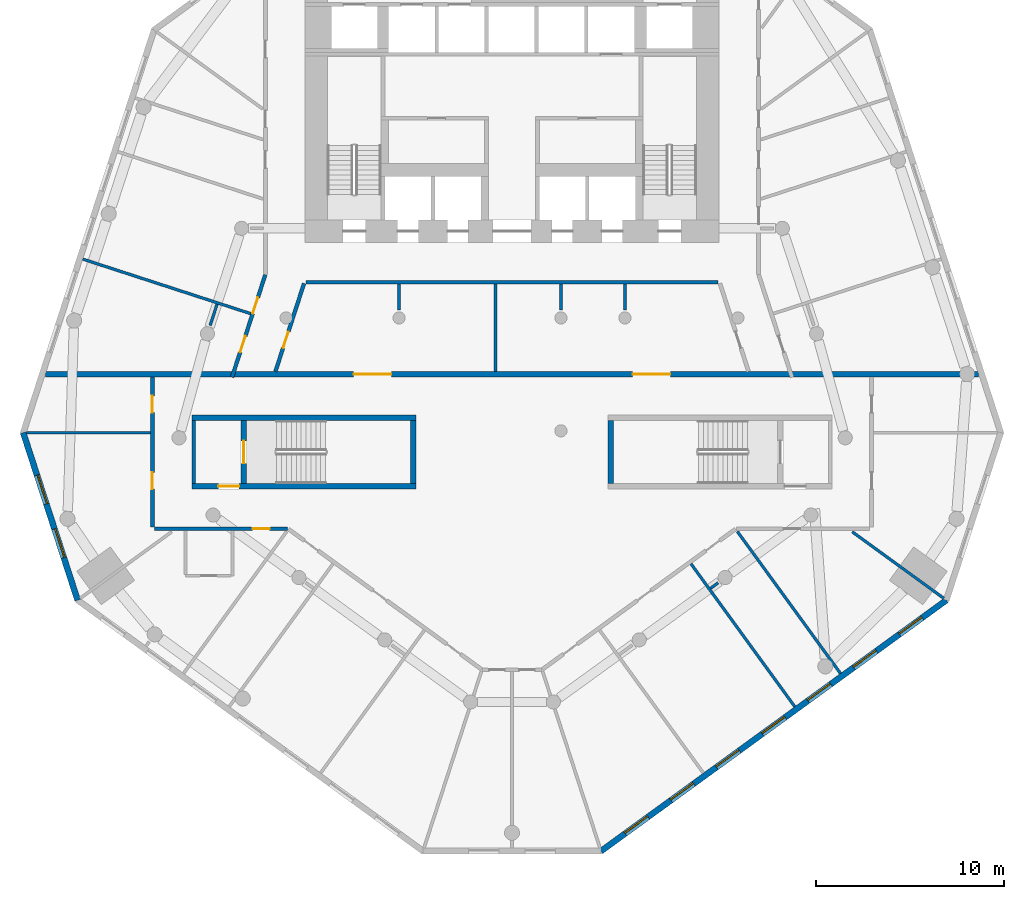
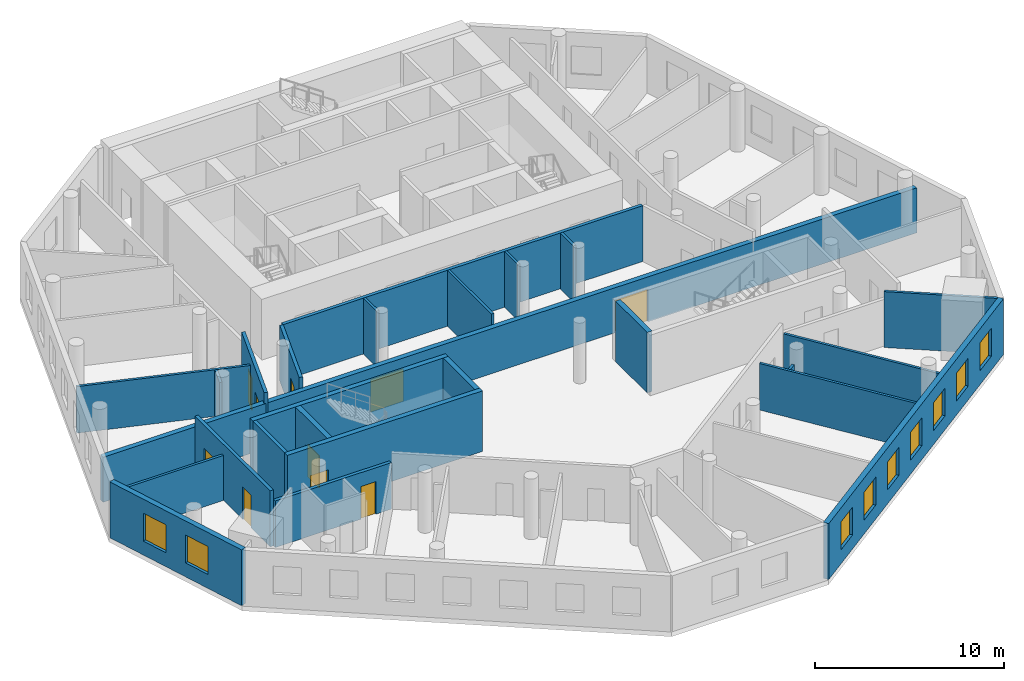
# One storey, part 3 of 9: 25 walls, 10 doors, 9 windows, 19 openings.
"""IFC4 building model written with IfcOpenShell, lengths in metres."""

import ifcopenshell
import ifcopenshell.guid

model = None  # the IFC model being written
_history = None  # IfcOwnerHistory: only IFC2X3 demands one
_inside = {}  # id of a spatial element -> (the spatial element, [elements in it])
_under = {}  # id of a project, library or spatial element -> (it, [spatial elements below it])
_declared = {}  # id of a project -> (the project, [libraries it declares])
_typed = {}  # id of a type object -> (the type object, [elements of that type])
_made_of = {}  # id of a material, layer set ... -> (it, [elements and type objects made of it])


def new_model(schema):
    """Start an empty IFC model of exactly this schema.

    Asked for "IFC4X3", IfcOpenShell would pick the latest addendum, in which some entities
    have other attributes; the version numbers below select the first issue.
    IFC2X3 requires an IfcOwnerHistory on every rooted entity: one is made here for all.
    """
    global model, _history
    if schema == "IFC4X3":
        model = ifcopenshell.file(schema_version=(4, 3, 0, 0))
    else:
        model = ifcopenshell.file(schema=schema)
    _inside.clear()
    _under.clear()
    _declared.clear()
    _typed.clear()
    _made_of.clear()
    _history = None
    if model.schema == "IFC2X3":
        org = make("IfcOrganization", Name="unknown")
        user = make(
            "IfcPersonAndOrganization",
            ThePerson=make("IfcPerson", FamilyName="unknown"),
            TheOrganization=org,
        )
        app = make(
            "IfcApplication",
            ApplicationDeveloper=org,
            Version="unknown",
            ApplicationFullName="unknown",
            ApplicationIdentifier="unknown",
        )
        _history = make(
            "IfcOwnerHistory",
            OwningUser=user,
            OwningApplication=app,
            ChangeAction="ADDED",
            CreationDate=0,
        )
    return model


def make(cls, **values):
    """One entity of the class cls with the attributes given. An attribute that is None is left unset."""
    return model.create_entity(
        cls, **{name: value for name, value in values.items() if value is not None}
    )


def rooted(cls, **values):
    """An entity with a GlobalId (a new one), such as an element, a storey or a relation."""
    return make(cls, GlobalId=ifcopenshell.guid.new(), OwnerHistory=_history, **values)


def si_unit(unit_type, name, prefix=None):
    """IfcSIUnit, for example si_unit("LENGTHUNIT", "METRE", prefix="MILLI")."""
    return make("IfcSIUnit", UnitType=unit_type, Prefix=prefix, Name=name)


def assignment(units):
    """IfcUnitAssignment: the units of a project."""
    return None if units is None else make("IfcUnitAssignment", Units=units)


def point(xyz):
    """IfcCartesianPoint."""
    return None if xyz is None else make("IfcCartesianPoint", Coordinates=xyz)


def direction(xyz):
    """IfcDirection."""
    return None if xyz is None else make("IfcDirection", DirectionRatios=xyz)


def frame(location, z_axis=None, x_axis=None):
    """IfcAxis2Placement3D, a coordinate frame: its origin and axes. An axis left out is left unset."""
    return make(
        "IfcAxis2Placement3D",
        Location=point(location),
        Axis=direction(z_axis),
        RefDirection=direction(x_axis),
    )


def frame_2d(location, x_axis=None):
    """IfcAxis2Placement2D, a coordinate frame in the plane: its origin and x axis."""
    return make(
        "IfcAxis2Placement2D", Location=point(location), RefDirection=direction(x_axis)
    )


def origin():
    """The frame at (0, 0, 0) with its axes left unset."""
    return frame((0.0, 0.0, 0.0))


def place(relative_to, where):
    """IfcLocalPlacement: puts the frame where relative to a parent placement (None: the world)."""
    return make(
        "IfcLocalPlacement", PlacementRelTo=relative_to, RelativePlacement=where
    )


def context(
    kind, dimensions, precision=None, world=None, true_north=None, identifier=None
):
    """IfcGeometricRepresentationContext, for example the 3D "Model" context."""
    return make(
        "IfcGeometricRepresentationContext",
        ContextIdentifier=identifier,
        ContextType=kind,
        CoordinateSpaceDimension=dimensions,
        Precision=precision,
        WorldCoordinateSystem=world,
        TrueNorth=true_north,
    )


def subcontext(parent, identifier, kind, view, scale=None):
    """IfcGeometricRepresentationSubContext, for example "Body" below "Model"."""
    return make(
        "IfcGeometricRepresentationSubContext",
        ContextIdentifier=identifier,
        ContextType=kind,
        ParentContext=parent,
        TargetScale=scale,
        TargetView=view,
    )


def project(units=None, contexts=None):
    """IfcProject with its units and contexts."""
    return rooted(
        "IfcProject",
        Name="project",
        RepresentationContexts=contexts,
        UnitsInContext=assignment(units),
    )


def spatial(cls, under=None, at=None, **own):
    """A site, building, storey or space (cls), placed at a placement, below another one or the project."""
    s = rooted(cls, ObjectPlacement=at, **own)
    if under is not None:
        _under.setdefault(under.id(), (under, []))[1].append(s)
    return s


def profile(cls, at=None, kind="AREA", **sizes):
    """A parametric profile (cls). Its sizes go by their IFC names, for example OverallWidth=200.0."""
    return make(cls, ProfileType=kind, Position=at, **sizes)


def rectangle(**sizes):
    """IfcRectangleProfileDef."""
    return profile("IfcRectangleProfileDef", **sizes)


def extrude(swept, where, along, depth):
    """IfcExtrudedAreaSolid: the profile swept, set in the frame where, extruded along a direction by depth."""
    return make(
        "IfcExtrudedAreaSolid",
        SweptArea=swept,
        Position=where,
        ExtrudedDirection=direction(along),
        Depth=depth,
    )


def shape(context_of_items, identifier, shape_type, items):
    """IfcShapeRepresentation: the items that make up one representation, for example the "Body"."""
    return make(
        "IfcShapeRepresentation",
        ContextOfItems=context_of_items,
        RepresentationIdentifier=identifier,
        RepresentationType=shape_type,
        Items=items,
    )


def material(Name=None, Category=None):
    """IfcMaterial."""
    return make("IfcMaterial", Name=Name, Category=Category)


def layer(
    of_material, thickness, ventilated=None, Name=None, Category=None, Priority=None
):
    """IfcMaterialLayer: one layer of a wall or slab, of a material (None: an air gap)."""
    return make(
        "IfcMaterialLayer",
        Material=of_material,
        LayerThickness=thickness,
        IsVentilated=ventilated,
        Name=Name,
        Category=Category,
        Priority=Priority,
    )


def layer_set(layers, Name=None):
    """IfcMaterialLayerSet."""
    return make("IfcMaterialLayerSet", MaterialLayers=layers, LayerSetName=Name)


def made_of(thing, what):
    """Note that an element or type object is made of a material, layer set ...; save() writes the relation."""
    if what is not None:
        _made_of.setdefault(what.id(), (what, []))[1].append(thing)
    return thing


def type_object(cls, material=None, **own):
    """A type object (cls), such as IfcWallType, which elements share."""
    return made_of(rooted(cls, **own), material)


def element(
    cls,
    number,
    at=None,
    inside=None,
    cuts=None,
    type_object=None,
    material=None,
    context=None,
    identifier="Body",
    shape_type=None,
    held_by="IfcProductDefinitionShape",
    body=None,
    shapes=None,
    **own,
):
    """One element of the class cls, such as IfcWall. Its Tag is "e" and its number.

    at: its placement. inside: the storey or other place that contains it. cuts: it is an
    opening in that element (IfcRelVoidsElement). A single representation is given by context,
    identifier, shape_type and body (its items); several are given by shapes. held_by: the class
    of the entity that holds the representations. save() writes the other relations.
    """
    e = rooted(cls, Tag="e%d" % number, ObjectPlacement=at, **own)
    if body is not None:
        shapes = [shape(context, identifier, shape_type, body)]
    if shapes is not None:
        e.Representation = make(held_by, Representations=shapes)
    if inside is not None:
        _inside.setdefault(inside.id(), (inside, []))[1].append(e)
    if cuts is not None:
        rooted(
            "IfcRelVoidsElement", RelatingBuildingElement=cuts, RelatedOpeningElement=e
        )
    if type_object is not None:
        _typed.setdefault(type_object.id(), (type_object, []))[1].append(e)
    return made_of(e, material)


def fill(opening, filler):
    """IfcRelFillsElement: the door or window that sits in an opening."""
    return rooted(
        "IfcRelFillsElement",
        RelatingOpeningElement=opening,
        RelatedBuildingElement=filler,
    )


def aggregate(whole, parts):
    """IfcRelAggregates: a whole, such as a stair, and the parts it consists of."""
    return rooted("IfcRelAggregates", RelatingObject=whole, RelatedObjects=parts)


def save(model, path):
    """Write the relations noted so far, then the file.

    IfcRelAggregates (storeys below a building ...), IfcRelContainedInSpatialStructure (elements
    in a storey), IfcRelDefinesByType, IfcRelAssociatesMaterial and IfcRelDeclares: one each for
    every whole, place, type object, material and project.
    """
    for whole, parts in _under.values():
        aggregate(whole, parts)
    for where, things in _inside.values():
        rooted(
            "IfcRelContainedInSpatialStructure",
            RelatedElements=things,
            RelatingStructure=where,
        )
    for kind, things in _typed.values():
        rooted("IfcRelDefinesByType", RelatedObjects=things, RelatingType=kind)
    for what, things in _made_of.values():
        rooted("IfcRelAssociatesMaterial", RelatedObjects=things, RelatingMaterial=what)
    for by, libraries in _declared.values():
        rooted("IfcRelDeclares", RelatingContext=by, RelatedDefinitions=libraries)
    model.write(path)


model = new_model("IFC4")

# Units and contexts
model_context = context("Model", 3, precision=1e-05, world=origin(), true_north=direction((0.0, 1.0)))
body_context = subcontext(model_context, "Body", "Model", "MODEL_VIEW")
ifc_project = project(units=[si_unit("LENGTHUNIT", "METRE"), si_unit("AREAUNIT", "SQUARE_METRE"), si_unit("VOLUMEUNIT", "CUBIC_METRE"), si_unit("PLANEANGLEUNIT", "RADIAN"), si_unit("MASSUNIT", "GRAM", prefix="KILO")], contexts=[model_context])

# Site, building, storey
site_placement = place(None, origin())
site = spatial("IfcSite", under=ifc_project, at=site_placement, CompositionType="ELEMENT")
building_placement = place(site_placement, origin())
building = spatial("IfcBuilding", under=site, at=building_placement, Name="White Candle Pilgrim Tower", CompositionType="ELEMENT")
storey_placement = place(building_placement, frame((0.0, 0.0, 70.199951171875)))
storey = spatial("IfcBuildingStorey", under=building, at=storey_placement, Name="L14", CompositionType="ELEMENT", Elevation=70.199951171875)

# Wall
ifc_material_1 = material(Name="Concrete C70/85", Category="concrete")
ifc_layer_1 = layer(ifc_material_1, 0.199951171875)
ifc_layer_set_1 = layer_set([ifc_layer_1], Name="Core wall 200 mm Concrete C70/85")
wall_type_1 = type_object("IfcWallType", Name="Core wall 200 mm Concrete C70/85", PredefinedType="SHEAR", material=ifc_layer_set_1)
wall_1_placement = place(storey_placement, frame((53.10009765625, 58.199951171875, 0.0), z_axis=(0.0, 0.0, 1.0), x_axis=(0.0, 1.0, 0.0)))
element("IfcWall", 1, at=wall_1_placement, inside=storey, type_object=wall_type_1, Name="WL-L14-C03", PredefinedType="SHEAR", context=body_context, shape_type="SweptSolid", body=[
    extrude(rectangle(XDim=3.35009765625, YDim=0.199951171875, at=frame_2d((1.675048828125, 0.0))), origin(), (0.0, 0.0, 1.0), 3.900146484375),
])

# Wall, openings, doors
ifc_material_2 = material(Name="Gypsum board on steel studs", Category="steel")
ifc_layer_2 = layer(ifc_material_2, 0.199951171875)
ifc_layer_set_2 = layer_set([ifc_layer_2], Name="Corridor wall 200 mm EI 45")
wall_type_2 = type_object("IfcWallType", Name="Corridor wall 200 mm EI 45", PredefinedType="PARTITIONING", material=ifc_layer_set_2)
wall_2_placement = place(storey_placement, frame((55.128173828125, 63.85009765625, 0.0), z_axis=(0.0, 0.0, 1.0), x_axis=(0.309006902183, 0.951059795388, 0.0)))
wall_2 = element("IfcWall", 2, at=wall_2_placement, inside=storey, type_object=wall_type_2, Name="WL-L14-P002", PredefinedType="PARTITIONING", context=body_context, shape_type="SweptSolid", body=[
    extrude(rectangle(XDim=5.7177734375, YDim=0.199951171875, at=frame_2d((2.85888671875, 0.0))), origin(), (0.0, 0.0, 1.0), 3.60009765625),
])
opening_1_placement = place(wall_2_placement, frame((1.3984375, 0.0, 0.0)))
opening_1 = element("IfcOpeningElement", 3, at=opening_1_placement, cuts=wall_2, Name="Opening T04-117", PredefinedType="OPENING", context=body_context, shape_type="SweptSolid", body=[
    extrude(rectangle(XDim=0.89990234375, YDim=2.10009765625, at=frame_2d((0.449951171875, 1.050048828125))), frame((0.0, 0.10986328125, 0.0), z_axis=(0.0, -1.0, 0.0), x_axis=(1.0, 0.0, 0.0)), (0.0, 0.0, 1.0), 0.219970703125),
])
opening_2_placement = place(wall_2_placement, frame((3.552490234375, 0.0, 0.0)))
opening_2 = element("IfcOpeningElement", 4, at=opening_2_placement, cuts=wall_2, Name="Opening T04-118", PredefinedType="OPENING", context=body_context, shape_type="SweptSolid", body=[
    extrude(rectangle(XDim=0.89990234375, YDim=2.10009765625, at=frame_2d((0.449951171875, 1.050048828125))), frame((0.0, 0.10986328125, 0.0), z_axis=(0.0, -1.0, 0.0), x_axis=(1.0, 0.0, 0.0)), (0.0, 0.0, 1.0), 0.219970703125),
])
ifc_material_3 = material(Name="Steel door leaf", Category="steel")
door_type_1 = type_object("IfcDoorType", Name="Fire door 900 x 2100 EI 30", OperationType="NOTDEFINED", PredefinedType="DOOR", material=ifc_material_3)
door_1_placement = place(opening_1_placement, origin())
door_1 = element("IfcDoor", 5, at=door_1_placement, inside=storey, type_object=door_type_1, Name="Door T04-117", OperationType="SINGLE_SWING_LEFT", OverallHeight=2.10009765625, OverallWidth=0.89990234375, PredefinedType="DOOR", context=body_context, shape_type="SweptSolid", body=[
    extrude(rectangle(XDim=0.89990234375, YDim=2.10009765625, at=frame_2d((0.449951171875, 1.050048828125))), frame((0.0, 0.02490234375, 0.0), z_axis=(0.0, -1.0, 0.0), x_axis=(1.0, 0.0, 0.0)), (0.0, 0.0, 1.0), 0.050048828125),
])
fill(opening_1, door_1)
door_2_placement = place(opening_2_placement, origin())
door_2 = element("IfcDoor", 6, at=door_2_placement, inside=storey, type_object=door_type_1, Name="Door T04-118", OperationType="SINGLE_SWING_RIGHT", OverallHeight=2.10009765625, OverallWidth=0.89990234375, PredefinedType="DOOR", context=body_context, shape_type="SweptSolid", body=[
    extrude(rectangle(XDim=0.89990234375, YDim=2.10009765625, at=frame_2d((0.449951171875, 1.050048828125))), frame((0.0, 0.02490234375, 0.0), z_axis=(0.0, -1.0, 0.0), x_axis=(1.0, 0.0, 0.0)), (0.0, 0.0, 1.0), 0.050048828125),
])
fill(opening_2, door_2)

# Wall, opening, door
wall_3_placement = place(storey_placement, frame((58.07080078125, 55.800048828125, 0.0), z_axis=(0.0, 0.0, 1.0), x_axis=(-1.0, 0.0, 0.0)))
wall_3 = element("IfcWall", 7, at=wall_3_placement, inside=storey, type_object=wall_type_2, Name="WL-L14-P011", PredefinedType="PARTITIONING", context=body_context, shape_type="SweptSolid", body=[
    extrude(rectangle(XDim=7.07080078125, YDim=0.199951171875, at=frame_2d((3.535400390625, 0.0))), origin(), (0.0, 0.0, 1.0), 3.0),
])
opening_3_placement = place(wall_3_placement, frame((0.9443359375, 0.0, 0.0)))
opening_3 = element("IfcOpeningElement", 8, at=opening_3_placement, cuts=wall_3, Name="Opening T04-103", PredefinedType="OPENING", context=body_context, shape_type="SweptSolid", body=[
    extrude(rectangle(XDim=0.89990234375, YDim=2.10009765625, at=frame_2d((0.449951171875, 1.050048828125))), frame((0.0, 0.10986328125, 0.0), z_axis=(0.0, -1.0, 0.0), x_axis=(1.0, 0.0, 0.0)), (0.0, 0.0, 1.0), 0.219970703125),
])
door_3_placement = place(opening_3_placement, origin())
door_3 = element("IfcDoor", 9, at=door_3_placement, inside=storey, type_object=door_type_1, Name="Door T04-103", OperationType="SINGLE_SWING_LEFT", OverallHeight=2.10009765625, OverallWidth=0.89990234375, PredefinedType="DOOR", context=body_context, shape_type="SweptSolid", body=[
    extrude(rectangle(XDim=0.89990234375, YDim=2.10009765625, at=frame_2d((0.449951171875, 1.050048828125))), frame((0.0, 0.02490234375, 0.0), z_axis=(0.0, -1.0, 0.0), x_axis=(1.0, 0.0, 0.0)), (0.0, 0.0, 1.0), 0.050048828125),
])
fill(opening_3, door_3)

# Wall, openings, doors
wall_4_placement = place(storey_placement, frame((50.89990234375, 55.89990234375, 0.0), z_axis=(0.0, 0.0, 1.0), x_axis=(0.0, 1.0, 0.0)))
wall_4 = element("IfcWall", 10, at=wall_4_placement, inside=storey, type_object=wall_type_2, Name="WL-L14-P012", PredefinedType="PARTITIONING", context=body_context, shape_type="SweptSolid", body=[
    extrude(rectangle(XDim=7.9501953125, YDim=0.199951171875, at=frame_2d((3.97509765625, 0.0))), origin(), (0.0, 0.0, 1.0), 3.60009765625),
])
opening_4_placement = place(wall_4_placement, frame((2.001708984375, 0.0, 0.0)))
opening_4 = element("IfcOpeningElement", 11, at=opening_4_placement, cuts=wall_4, Name="Opening T04-101", PredefinedType="OPENING", context=body_context, shape_type="SweptSolid", body=[
    extrude(rectangle(XDim=0.89990234375, YDim=2.10009765625, at=frame_2d((0.449951171875, 1.050048828125))), frame((0.0, 0.10986328125, 0.0), z_axis=(0.0, -1.0, 0.0), x_axis=(1.0, 0.0, 0.0)), (0.0, 0.0, 1.0), 0.219970703125),
])
opening_5_placement = place(wall_4_placement, frame((6.064208984375, 0.0, 0.0)))
opening_5 = element("IfcOpeningElement", 12, at=opening_5_placement, cuts=wall_4, Name="Opening T04-116", PredefinedType="OPENING", context=body_context, shape_type="SweptSolid", body=[
    extrude(rectangle(XDim=0.89990234375, YDim=2.10009765625, at=frame_2d((0.449951171875, 1.050048828125))), frame((0.0, 0.10986328125, 0.0), z_axis=(0.0, -1.0, 0.0), x_axis=(1.0, 0.0, 0.0)), (0.0, 0.0, 1.0), 0.219970703125),
])
door_4_placement = place(opening_4_placement, origin())
door_4 = element("IfcDoor", 13, at=door_4_placement, inside=storey, type_object=door_type_1, Name="Door T04-101", OperationType="SINGLE_SWING_LEFT", OverallHeight=2.10009765625, OverallWidth=0.89990234375, PredefinedType="DOOR", context=body_context, shape_type="SweptSolid", body=[
    extrude(rectangle(XDim=0.89990234375, YDim=2.10009765625, at=frame_2d((0.449951171875, 1.050048828125))), frame((0.0, 0.02490234375, 0.0), z_axis=(0.0, -1.0, 0.0), x_axis=(1.0, 0.0, 0.0)), (0.0, 0.0, 1.0), 0.050048828125),
])
fill(opening_4, door_4)
door_5_placement = place(opening_5_placement, origin())
door_5 = element("IfcDoor", 14, at=door_5_placement, inside=storey, type_object=door_type_1, Name="Door T04-116", OperationType="SINGLE_SWING_RIGHT", OverallHeight=2.10009765625, OverallWidth=0.89990234375, PredefinedType="DOOR", context=body_context, shape_type="SweptSolid", body=[
    extrude(rectangle(XDim=0.89990234375, YDim=2.10009765625, at=frame_2d((0.449951171875, 1.050048828125))), frame((0.0, 0.02490234375, 0.0), z_axis=(0.0, -1.0, 0.0), x_axis=(1.0, 0.0, 0.0)), (0.0, 0.0, 1.0), 0.050048828125),
])
fill(opening_5, door_5)

# Wall
wall_5_placement = place(storey_placement, frame((80.9501953125, 68.89990234375, 0.0), z_axis=(0.0, 0.0, 1.0), x_axis=(-1.0, 0.0, 0.0)))
element("IfcWall", 15, at=wall_5_placement, inside=storey, type_object=wall_type_2, Name="WL-L14-P013", PredefinedType="PARTITIONING", context=body_context, shape_type="SweptSolid", body=[
    extrude(rectangle(XDim=21.900390625, YDim=0.199951171875, at=frame_2d((10.9501953125, 0.0))), origin(), (0.0, 0.0, 1.0), 3.60009765625),
])

# Wall, opening, door
wall_6_placement = place(storey_placement, frame((58.95458984375, 68.830810546875, 0.0), z_axis=(0.0, 0.0, 1.0), x_axis=(-0.309031112369, -0.951051928965, 0.0)))
wall_6 = element("IfcWall", 16, at=wall_6_placement, inside=storey, type_object=wall_type_2, Name="WL-L14-P014", PredefinedType="PARTITIONING", context=body_context, shape_type="SweptSolid", body=[
    extrude(rectangle(XDim=4.921875, YDim=0.199951171875, at=frame_2d((2.4609375, 0.0))), origin(), (0.0, 0.0, 1.0), 3.60009765625),
])
opening_6_placement = place(wall_6_placement, frame((2.6982421875, 0.0, 0.0)))
opening_6 = element("IfcOpeningElement", 17, at=opening_6_placement, cuts=wall_6, Name="Opening T04-130", PredefinedType="OPENING", context=body_context, shape_type="SweptSolid", body=[
    extrude(rectangle(XDim=0.89990234375, YDim=2.10009765625, at=frame_2d((0.449951171875, 1.050048828125))), frame((0.0, 0.10986328125, 0.0), z_axis=(0.0, -1.0, 0.0), x_axis=(1.0, 0.0, 0.0)), (0.0, 0.0, 1.0), 0.219970703125),
])
door_6_placement = place(opening_6_placement, origin())
door_6 = element("IfcDoor", 18, at=door_6_placement, inside=storey, type_object=door_type_1, Name="Door T04-130", OperationType="SINGLE_SWING_RIGHT", OverallHeight=2.10009765625, OverallWidth=0.89990234375, PredefinedType="DOOR", context=body_context, shape_type="SweptSolid", body=[
    extrude(rectangle(XDim=0.89990234375, YDim=2.10009765625, at=frame_2d((0.449951171875, 1.050048828125))), frame((0.0, 0.02490234375, 0.0), z_axis=(0.0, -1.0, 0.0), x_axis=(1.0, 0.0, 0.0)), (0.0, 0.0, 1.0), 0.050048828125),
])
fill(opening_6, door_6)

# Wall, openings, windows
ifc_material_4 = material(Name="Precast concrete C40/50", Category="concrete")
ifc_layer_3 = layer(ifc_material_4, 0.320068359375)
ifc_layer_set_3 = layer_set([ifc_layer_3], Name="Facade wall EW1 precast concrete C40/50 pier wall with timber-lined reveals")
wall_type_3 = type_object("IfcWallType", Name="Facade wall EW1 precast concrete C40/50 pier wall with timber-lined reveals", PredefinedType="SOLIDWALL", material=ifc_layer_set_3)
wall_7_placement = place(storey_placement, frame((44.03466796875, 60.903564453125, 0.0), z_axis=(0.0, 0.0, 1.0), x_axis=(0.309024710052, -0.951054009285, 0.0)))
wall_7 = element("IfcWall", 19, at=wall_7_placement, inside=storey, type_object=wall_type_3, Name="Facade wall L14 W chamfer", PredefinedType="SOLIDWALL", context=body_context, shape_type="SweptSolid", body=[
    extrude(rectangle(XDim=9.3564453125, YDim=0.320068359375, at=frame_2d((4.67822265625, 0.0))), origin(), (0.0, 0.0, 1.0), 3.60009765625),
])
opening_7_placement = place(wall_7_placement, frame((2.37841796875, 0.0, 0.89990234375)))
opening_7 = element("IfcOpeningElement", 20, at=opening_7_placement, cuts=wall_7, Name="Opening W2", PredefinedType="OPENING", context=body_context, shape_type="SweptSolid", body=[
    extrude(rectangle(XDim=1.60009765625, YDim=1.800048828125, at=frame_2d((0.800048828125, 0.89990234375))), frame((0.0, 0.169921875, 0.0), z_axis=(0.0, -1.0, 0.0), x_axis=(1.0, 0.0, 0.0)), (0.0, 0.0, 1.0), 0.340087890625),
])
opening_8_placement = place(wall_7_placement, frame((5.37841796875, 0.0, 0.89990234375)))
opening_8 = element("IfcOpeningElement", 21, at=opening_8_placement, cuts=wall_7, Name="Opening W2", PredefinedType="OPENING", context=body_context, shape_type="SweptSolid", body=[
    extrude(rectangle(XDim=1.60009765625, YDim=1.800048828125, at=frame_2d((0.800048828125, 0.89990234375))), frame((0.0, 0.169921875, 0.0), z_axis=(0.0, -1.0, 0.0), x_axis=(1.0, 0.0, 0.0)), (0.0, 0.0, 1.0), 0.340087890625),
])
ifc_material_5 = material(Name="Timber frame with triple glazing", Category="wood")
window_type_1 = type_object("IfcWindowType", Name="Window W2 1600x1800 timber frame triple glazing", PartitioningType="SINGLE_PANEL", PredefinedType="WINDOW", material=ifc_material_5)
window_1_placement = place(opening_7_placement, origin())
window_1 = element("IfcWindow", 22, at=window_1_placement, inside=storey, type_object=window_type_1, Name="Window W2 L14 W chamfer 1", OverallHeight=1.800048828125, OverallWidth=1.60009765625, PartitioningType="SINGLE_PANEL", PredefinedType="WINDOW", context=body_context, shape_type="SweptSolid", body=[
    extrude(rectangle(XDim=1.60009765625, YDim=1.800048828125, at=frame_2d((0.800048828125, 0.89990234375))), frame((0.0, 0.070068359375, 0.0), z_axis=(0.0, -1.0, 0.0), x_axis=(1.0, 0.0, 0.0)), (0.0, 0.0, 1.0), 0.06005859375),
])
fill(opening_7, window_1)
window_2_placement = place(opening_8_placement, origin())
window_2 = element("IfcWindow", 23, at=window_2_placement, inside=storey, type_object=window_type_1, Name="Window W2 L14 W chamfer 2", OverallHeight=1.800048828125, OverallWidth=1.60009765625, PartitioningType="SINGLE_PANEL", PredefinedType="WINDOW", context=body_context, shape_type="SweptSolid", body=[
    extrude(rectangle(XDim=1.60009765625, YDim=1.800048828125, at=frame_2d((0.800048828125, 0.89990234375))), frame((0.0, 0.070068359375, 0.0), z_axis=(0.0, -1.0, 0.0), x_axis=(1.0, 0.0, 0.0)), (0.0, 0.0, 1.0), 0.06005859375),
])
fill(opening_8, window_2)

wall_8_placement = place(storey_placement, frame((74.728515625, 38.67626953125, 0.0), z_axis=(0.0, 0.0, 1.0), x_axis=(0.809014870626, 0.58778817537, 0.0)))
wall_8 = element("IfcWall", 24, at=wall_8_placement, inside=storey, type_object=wall_type_3, Name="Facade wall L14 SE", PredefinedType="SOLIDWALL", context=body_context, shape_type="SweptSolid", body=[
    extrude(rectangle(XDim=22.67626953125, YDim=0.320068359375, at=frame_2d((11.338134765625, 0.0))), origin(), (0.0, 0.0, 1.0), 3.60009765625),
])
opening_9_placement = place(wall_8_placement, frame((1.588134765625, 0.0, 0.89990234375)))
opening_9 = element("IfcOpeningElement", 25, at=opening_9_placement, cuts=wall_8, Name="Opening W1", PredefinedType="OPENING", context=body_context, shape_type="SweptSolid", body=[
    extrude(rectangle(XDim=1.5, YDim=1.800048828125, at=frame_2d((0.75, 0.89990234375))), frame((0.0, 0.169921875, 0.0), z_axis=(0.0, -1.0, 0.0), x_axis=(1.0, 0.0, 0.0)), (0.0, 0.0, 1.0), 0.340087890625),
])
opening_10_placement = place(wall_8_placement, frame((4.588134765625, 0.0, 0.89990234375)))
opening_10 = element("IfcOpeningElement", 26, at=opening_10_placement, cuts=wall_8, Name="Opening W1", PredefinedType="OPENING", context=body_context, shape_type="SweptSolid", body=[
    extrude(rectangle(XDim=1.5, YDim=1.800048828125, at=frame_2d((0.75, 0.89990234375))), frame((0.0, 0.169921875, 0.0), z_axis=(0.0, -1.0, 0.0), x_axis=(1.0, 0.0, 0.0)), (0.0, 0.0, 1.0), 0.340087890625),
])
opening_11_placement = place(wall_8_placement, frame((7.588134765625, 0.0, 0.89990234375)))
opening_11 = element("IfcOpeningElement", 27, at=opening_11_placement, cuts=wall_8, Name="Opening W1", PredefinedType="OPENING", context=body_context, shape_type="SweptSolid", body=[
    extrude(rectangle(XDim=1.5, YDim=1.800048828125, at=frame_2d((0.75, 0.89990234375))), frame((0.0, 0.169921875, 0.0), z_axis=(0.0, -1.0, 0.0), x_axis=(1.0, 0.0, 0.0)), (0.0, 0.0, 1.0), 0.340087890625),
])
opening_12_placement = place(wall_8_placement, frame((10.588134765625, 0.0, 0.89990234375)))
opening_12 = element("IfcOpeningElement", 28, at=opening_12_placement, cuts=wall_8, Name="Opening W1", PredefinedType="OPENING", context=body_context, shape_type="SweptSolid", body=[
    extrude(rectangle(XDim=1.5, YDim=1.800048828125, at=frame_2d((0.75, 0.89990234375))), frame((0.0, 0.169921875, 0.0), z_axis=(0.0, -1.0, 0.0), x_axis=(1.0, 0.0, 0.0)), (0.0, 0.0, 1.0), 0.340087890625),
])
opening_13_placement = place(wall_8_placement, frame((13.588134765625, 0.0, 0.89990234375)))
opening_13 = element("IfcOpeningElement", 29, at=opening_13_placement, cuts=wall_8, Name="Opening W1", PredefinedType="OPENING", context=body_context, shape_type="SweptSolid", body=[
    extrude(rectangle(XDim=1.5, YDim=1.800048828125, at=frame_2d((0.75, 0.89990234375))), frame((0.0, 0.169921875, 0.0), z_axis=(0.0, -1.0, 0.0), x_axis=(1.0, 0.0, 0.0)), (0.0, 0.0, 1.0), 0.340087890625),
])
opening_14_placement = place(wall_8_placement, frame((16.588134765625, 0.0, 0.89990234375)))
opening_14 = element("IfcOpeningElement", 30, at=opening_14_placement, cuts=wall_8, Name="Opening W1", PredefinedType="OPENING", context=body_context, shape_type="SweptSolid", body=[
    extrude(rectangle(XDim=1.5, YDim=1.800048828125, at=frame_2d((0.75, 0.89990234375))), frame((0.0, 0.169921875, 0.0), z_axis=(0.0, -1.0, 0.0), x_axis=(1.0, 0.0, 0.0)), (0.0, 0.0, 1.0), 0.340087890625),
])
opening_15_placement = place(wall_8_placement, frame((19.588134765625, 0.0, 0.89990234375)))
opening_15 = element("IfcOpeningElement", 31, at=opening_15_placement, cuts=wall_8, Name="Opening W1", PredefinedType="OPENING", context=body_context, shape_type="SweptSolid", body=[
    extrude(rectangle(XDim=1.5, YDim=1.800048828125, at=frame_2d((0.75, 0.89990234375))), frame((0.0, 0.169921875, 0.0), z_axis=(0.0, -1.0, 0.0), x_axis=(1.0, 0.0, 0.0)), (0.0, 0.0, 1.0), 0.340087890625),
])
window_type_2 = type_object("IfcWindowType", Name="Window W1 1500x1800 timber frame triple glazing", PartitioningType="SINGLE_PANEL", PredefinedType="WINDOW", material=ifc_material_5)
window_3_placement = place(opening_9_placement, origin())
window_3 = element("IfcWindow", 32, at=window_3_placement, inside=storey, type_object=window_type_2, Name="Window W1 L14 SE 1", OverallHeight=1.800048828125, OverallWidth=1.5, PartitioningType="SINGLE_PANEL", PredefinedType="WINDOW", context=body_context, shape_type="SweptSolid", body=[
    extrude(rectangle(XDim=1.5, YDim=1.800048828125, at=frame_2d((0.75, 0.89990234375))), frame((0.0, 0.070068359375, 0.0), z_axis=(0.0, -1.0, 0.0), x_axis=(1.0, 0.0, 0.0)), (0.0, 0.0, 1.0), 0.06005859375),
])
fill(opening_9, window_3)
window_4_placement = place(opening_10_placement, origin())
window_4 = element("IfcWindow", 33, at=window_4_placement, inside=storey, type_object=window_type_2, Name="Window W1 L14 SE 2", OverallHeight=1.800048828125, OverallWidth=1.5, PartitioningType="SINGLE_PANEL", PredefinedType="WINDOW", context=body_context, shape_type="SweptSolid", body=[
    extrude(rectangle(XDim=1.5, YDim=1.800048828125, at=frame_2d((0.75, 0.89990234375))), frame((0.0, 0.070068359375, 0.0), z_axis=(0.0, -1.0, 0.0), x_axis=(1.0, 0.0, 0.0)), (0.0, 0.0, 1.0), 0.06005859375),
])
fill(opening_10, window_4)
window_5_placement = place(opening_11_placement, origin())
window_5 = element("IfcWindow", 34, at=window_5_placement, inside=storey, type_object=window_type_2, Name="Window W1 L14 SE 3", OverallHeight=1.800048828125, OverallWidth=1.5, PartitioningType="SINGLE_PANEL", PredefinedType="WINDOW", context=body_context, shape_type="SweptSolid", body=[
    extrude(rectangle(XDim=1.5, YDim=1.800048828125, at=frame_2d((0.75, 0.89990234375))), frame((0.0, 0.070068359375, 0.0), z_axis=(0.0, -1.0, 0.0), x_axis=(1.0, 0.0, 0.0)), (0.0, 0.0, 1.0), 0.06005859375),
])
fill(opening_11, window_5)
window_6_placement = place(opening_12_placement, origin())
window_6 = element("IfcWindow", 35, at=window_6_placement, inside=storey, type_object=window_type_2, Name="Window W1 L14 SE 4", OverallHeight=1.800048828125, OverallWidth=1.5, PartitioningType="SINGLE_PANEL", PredefinedType="WINDOW", context=body_context, shape_type="SweptSolid", body=[
    extrude(rectangle(XDim=1.5, YDim=1.800048828125, at=frame_2d((0.75, 0.89990234375))), frame((0.0, 0.070068359375, 0.0), z_axis=(0.0, -1.0, 0.0), x_axis=(1.0, 0.0, 0.0)), (0.0, 0.0, 1.0), 0.06005859375),
])
fill(opening_12, window_6)
window_7_placement = place(opening_13_placement, origin())
window_7 = element("IfcWindow", 36, at=window_7_placement, inside=storey, type_object=window_type_2, Name="Window W1 L14 SE 5", OverallHeight=1.800048828125, OverallWidth=1.5, PartitioningType="SINGLE_PANEL", PredefinedType="WINDOW", context=body_context, shape_type="SweptSolid", body=[
    extrude(rectangle(XDim=1.5, YDim=1.800048828125, at=frame_2d((0.75, 0.89990234375))), frame((0.0, 0.070068359375, 0.0), z_axis=(0.0, -1.0, 0.0), x_axis=(1.0, 0.0, 0.0)), (0.0, 0.0, 1.0), 0.06005859375),
])
fill(opening_13, window_7)
window_8_placement = place(opening_14_placement, origin())
window_8 = element("IfcWindow", 37, at=window_8_placement, inside=storey, type_object=window_type_2, Name="Window W1 L14 SE 6", OverallHeight=1.800048828125, OverallWidth=1.5, PartitioningType="SINGLE_PANEL", PredefinedType="WINDOW", context=body_context, shape_type="SweptSolid", body=[
    extrude(rectangle(XDim=1.5, YDim=1.800048828125, at=frame_2d((0.75, 0.89990234375))), frame((0.0, 0.070068359375, 0.0), z_axis=(0.0, -1.0, 0.0), x_axis=(1.0, 0.0, 0.0)), (0.0, 0.0, 1.0), 0.06005859375),
])
fill(opening_14, window_8)
window_9_placement = place(opening_15_placement, origin())
window_9 = element("IfcWindow", 38, at=window_9_placement, inside=storey, type_object=window_type_2, Name="Window W1 L14 SE 7", OverallHeight=1.800048828125, OverallWidth=1.5, PartitioningType="SINGLE_PANEL", PredefinedType="WINDOW", context=body_context, shape_type="SweptSolid", body=[
    extrude(rectangle(XDim=1.5, YDim=1.800048828125, at=frame_2d((0.75, 0.89990234375))), frame((0.0, 0.070068359375, 0.0), z_axis=(0.0, -1.0, 0.0), x_axis=(1.0, 0.0, 0.0)), (0.0, 0.0, 1.0), 0.06005859375),
])
fill(opening_15, window_9)

# Wall, openings, doors
ifc_material_6 = material(Name="Aerated concrete block", Category="concrete")
ifc_layer_4 = layer(ifc_material_6, 0.300048828125)
ifc_layer_set_4 = layer_set([ifc_layer_4], Name="Fire wall 300 mm REI 240")
wall_type_4 = type_object("IfcWallType", Name="Fire wall 300 mm REI 240", PredefinedType="PARTITIONING", material=ifc_layer_set_4)
wall_9_placement = place(storey_placement, frame((45.208984375, 64.0, 0.0), z_axis=(0.0, 0.0, 1.0), x_axis=(1.0, 0.0, 0.0)))
wall_9 = element("IfcWall", 39, at=wall_9_placement, inside=storey, type_object=wall_type_4, Name="WL-L14-P001", PredefinedType="PARTITIONING", context=body_context, shape_type="SweptSolid", body=[
    extrude(rectangle(XDim=49.58203125, YDim=0.300048828125, at=frame_2d((24.791015625, 0.0))), origin(), (0.0, 0.0, 1.0), 2.900146484375),
])
opening_16_placement = place(wall_9_placement, frame((16.37939453125, 0.0, 0.0)))
opening_16 = element("IfcOpeningElement", 40, at=opening_16_placement, cuts=wall_9, Name="Opening T04-114", PredefinedType="OPENING", context=body_context, shape_type="SweptSolid", body=[
    extrude(rectangle(XDim=2.0, YDim=2.10009765625, at=frame_2d((1.0, 1.050048828125))), frame((0.0, 0.159912109375, 0.0), z_axis=(0.0, -1.0, 0.0), x_axis=(1.0, 0.0, 0.0)), (0.0, 0.0, 1.0), 0.320068359375),
])
opening_17_placement = place(wall_9_placement, frame((31.20263671875, 0.0, 0.0)))
opening_17 = element("IfcOpeningElement", 41, at=opening_17_placement, cuts=wall_9, Name="Opening T04-115", PredefinedType="OPENING", context=body_context, shape_type="SweptSolid", body=[
    extrude(rectangle(XDim=2.0, YDim=2.10009765625, at=frame_2d((1.0, 1.050048828125))), frame((0.0, 0.159912109375, 0.0), z_axis=(0.0, -1.0, 0.0), x_axis=(1.0, 0.0, 0.0)), (0.0, 0.0, 1.0), 0.320068359375),
])
door_type_2 = type_object("IfcDoorType", Name="Fire door 2000 x 2100 EI 60", OperationType="NOTDEFINED", PredefinedType="DOOR", material=ifc_material_3)
door_7_placement = place(opening_16_placement, origin())
door_7 = element("IfcDoor", 42, at=door_7_placement, inside=storey, type_object=door_type_2, Name="Door T04-114", OperationType="DOUBLE_DOOR_SINGLE_SWING", OverallHeight=2.10009765625, OverallWidth=2.0, PredefinedType="DOOR", context=body_context, shape_type="SweptSolid", body=[
    extrude(rectangle(XDim=2.0, YDim=2.10009765625, at=frame_2d((1.0, 1.050048828125))), frame((0.0, 0.02490234375, 0.0), z_axis=(0.0, -1.0, 0.0), x_axis=(1.0, 0.0, 0.0)), (0.0, 0.0, 1.0), 0.050048828125),
])
fill(opening_16, door_7)
door_8_placement = place(opening_17_placement, origin())
door_8 = element("IfcDoor", 43, at=door_8_placement, inside=storey, type_object=door_type_2, Name="Door T04-115", OperationType="DOUBLE_DOOR_SINGLE_SWING", OverallHeight=2.10009765625, OverallWidth=2.0, PredefinedType="DOOR", context=body_context, shape_type="SweptSolid", body=[
    extrude(rectangle(XDim=2.0, YDim=2.10009765625, at=frame_2d((1.0, 1.050048828125))), frame((0.0, 0.02490234375, 0.0), z_axis=(0.0, -1.0, 0.0), x_axis=(1.0, 0.0, 0.0)), (0.0, 0.0, 1.0), 0.050048828125),
])
fill(opening_17, door_8)

# Walls
ifc_layer_5 = layer(ifc_material_2, 0.14990234375)
ifc_layer_set_5 = layer_set([ifc_layer_5], Name="Partition 150 mm EI 60")
wall_type_5 = type_object("IfcWallType", Name="Partition 150 mm EI 60", PredefinedType="PARTITIONING", material=ifc_layer_set_5)
wall_10_placement = place(storey_placement, frame((44.202880859375, 60.903564453125, 0.0), z_axis=(0.0, 0.0, 1.0), x_axis=(1.0, 0.0, 0.0)))
element("IfcWall", 44, at=wall_10_placement, inside=storey, type_object=wall_type_5, Name="WL-L14-P017", PredefinedType="PARTITIONING", context=body_context, shape_type="SweptSolid", body=[
    extrude(rectangle(XDim=6.59716796875, YDim=0.14990234375, at=frame_2d((3.298583984375, 0.0))), origin(), (0.0, 0.0, 1.0), 2.900146484375),
])
wall_11_placement = place(storey_placement, frame((92.93798828125, 52.10400390625, 0.0), z_axis=(0.0, 0.0, 1.0), x_axis=(-0.809025596287, 0.587773412594, 0.0)))
element("IfcWall", 45, at=wall_11_placement, inside=storey, type_object=wall_type_5, Name="WL-L14-P021", PredefinedType="PARTITIONING", context=body_context, shape_type="SweptSolid", body=[
    extrude(rectangle(XDim=6.014892578125, YDim=0.14990234375, at=frame_2d((3.00732421875, 0.0))), origin(), (0.0, 0.0, 1.0), 3.60009765625),
])
for number, where, z_axis, x_axis, name in (
    (46, (47.198974609375, 70.124267578125, 0.0), (0.0, 0.0, 1.0), (0.951060843481, -0.309003676349, 0.0), "WL-L14-P026"),
    (47, (85.020751953125, 46.351806640625, 0.0), (0.0, 0.0, 1.0), (-0.587795561305, 0.809009504339, 0.0), "WL-L14-P035"),
):
    element("IfcWall", number, at=place(storey_placement, frame(where, z_axis=z_axis, x_axis=x_axis)), inside=storey, type_object=wall_type_5, Name=name, PredefinedType="PARTITIONING", context=body_context, shape_type="SweptSolid", body=[
        extrude(rectangle(XDim=9.3798828125, YDim=0.14990234375, at=frame_2d((4.68994140625, 0.0))), origin(), (0.0, 0.0, 1.0), 3.0),
    ])
wall_12_placement = place(storey_placement, frame((87.44775390625, 48.114990234375, 0.0), z_axis=(0.0, 0.0, 1.0), x_axis=(-0.587777613272, 0.809022544393, 0.0)))
element("IfcWall", 48, at=wall_12_placement, inside=storey, type_object=wall_type_5, Name="WL-L14-P036", PredefinedType="PARTITIONING", context=body_context, shape_type="SweptSolid", body=[
    extrude(rectangle(XDim=9.321044921875, YDim=0.14990234375, at=frame_2d((4.66064453125, 0.0))), origin(), (0.0, 0.0, 1.0), 3.0),
])
wall_13_placement = place(storey_placement, frame((69.12158203125, 64.14990234375, 0.0), z_axis=(0.0, 0.0, 1.0), x_axis=(0.0, 1.0, 0.0)))
element("IfcWall", 49, at=wall_13_placement, inside=storey, type_object=wall_type_5, Name="WL-L14-P041", PredefinedType="PARTITIONING", context=body_context, shape_type="SweptSolid", body=[
    extrude(rectangle(XDim=4.650146484375, YDim=0.14990234375, at=frame_2d((2.3251953125, 0.0))), origin(), (0.0, 0.0, 1.0), 3.60009765625),
])
wall_14_placement = place(storey_placement, frame((80.949462890625, 52.92919921875, 0.0), z_axis=(0.0, 0.0, 1.0), x_axis=(-0.809096851656, -0.587675322471, 0.0)))
element("IfcWall", 50, at=wall_14_placement, inside=storey, type_object=wall_type_5, Name="WL-L14-P046", PredefinedType="PARTITIONING", context=body_context, shape_type="SweptSolid", body=[
    extrude(rectangle(XDim=0.497314453125, YDim=0.14990234375, at=frame_2d((0.24853515625, 0.0))), origin(), (0.0, 0.0, 1.0), 3.0),
])
wall_15_placement = place(storey_placement, frame((53.967041015625, 66.60107421875, 0.0), z_axis=(0.0, 0.0, 1.0), x_axis=(0.308983531668, 0.951067388337, 0.0)))
element("IfcWall", 51, at=wall_15_placement, inside=storey, type_object=wall_type_5, Name="WL-L14-P050", PredefinedType="PARTITIONING", context=body_context, shape_type="SweptSolid", body=[
    extrude(rectangle(XDim=1.184326171875, YDim=0.14990234375, at=frame_2d((0.59228515625, 0.0))), origin(), (0.0, 0.0, 1.0), 3.0),
])
for number, where, z_axis, x_axis, name in (
    (52, (63.997802734375, 67.4150390625, 0.0), (0.0, 0.0, 1.0), (0.0, 1.0, 0.0), "WL-L14-P051"),
    (53, (72.59765625, 67.4150390625, 0.0), (0.0, 0.0, 1.0), (0.0, 1.0, 0.0), "WL-L14-P052"),
    (54, (75.997802734375, 67.4150390625, 0.0), (0.0, 0.0, 1.0), (0.0, 1.0, 0.0), "WL-L14-P053"),
):
    element("IfcWall", number, at=place(storey_placement, frame(where, z_axis=z_axis, x_axis=x_axis)), inside=storey, type_object=wall_type_5, Name=name, PredefinedType="PARTITIONING", context=body_context, shape_type="SweptSolid", body=[
        extrude(rectangle(XDim=1.385009765625, YDim=0.14990234375, at=frame_2d((0.6923828125, 0.0))), origin(), (0.0, 0.0, 1.0), 3.60009765625),
    ])

# Wall, opening, door
ifc_layer_6 = layer(ifc_material_1, 0.300048828125)
ifc_layer_set_6 = layer_set([ifc_layer_6], Name="Stair shaft wall 300 mm Concrete C70/85")
wall_type_6 = type_object("IfcWallType", Name="Stair shaft wall 300 mm Concrete C70/85", PredefinedType="SHEAR", material=ifc_layer_set_6)
wall_16_placement = place(storey_placement, frame((53.0, 58.050048828125, 0.0), z_axis=(0.0, 0.0, 1.0), x_axis=(1.0, 0.0, 0.0)))
wall_16 = element("IfcWall", 55, at=wall_16_placement, inside=storey, type_object=wall_type_6, Name="WL-L14-C01", PredefinedType="SHEAR", context=body_context, shape_type="SweptSolid", body=[
    extrude(rectangle(XDim=11.89990234375, YDim=0.300048828125, at=frame_2d((5.949951171875, 0.0))), origin(), (0.0, 0.0, 1.0), 3.900146484375),
])
opening_18_placement = place(wall_16_placement, frame((1.39990234375, 0.0, 0.0)))
opening_18 = element("IfcOpeningElement", 56, at=opening_18_placement, cuts=wall_16, Name="Opening T04-007", PredefinedType="OPENING", context=body_context, shape_type="SweptSolid", body=[
    extrude(rectangle(XDim=1.10009765625, YDim=2.10009765625, at=frame_2d((0.550048828125, 1.050048828125))), frame((0.0, 0.159912109375, 0.0), z_axis=(0.0, -1.0, 0.0), x_axis=(1.0, 0.0, 0.0)), (0.0, 0.0, 1.0), 0.320068359375),
])
door_type_3 = type_object("IfcDoorType", Name="Fire door 1100 x 2100 EI 60", OperationType="NOTDEFINED", PredefinedType="DOOR", material=ifc_material_3)
door_9_placement = place(opening_18_placement, origin())
door_9 = element("IfcDoor", 57, at=door_9_placement, inside=storey, type_object=door_type_3, Name="Door T04-007", OperationType="SINGLE_SWING_LEFT", OverallHeight=2.10009765625, OverallWidth=1.10009765625, PredefinedType="DOOR", context=body_context, shape_type="SweptSolid", body=[
    extrude(rectangle(XDim=1.10009765625, YDim=2.10009765625, at=frame_2d((0.550048828125, 1.050048828125))), frame((0.0, 0.02490234375, 0.0), z_axis=(0.0, -1.0, 0.0), x_axis=(1.0, 0.0, 0.0)), (0.0, 0.0, 1.0), 0.050048828125),
])
fill(opening_18, door_9)

wall_17_placement = place(storey_placement, frame((55.75, 58.199951171875, 0.0), z_axis=(0.0, 0.0, 1.0), x_axis=(0.0, 1.0, 0.0)))
wall_17 = element("IfcWall", 58, at=wall_17_placement, inside=storey, type_object=wall_type_6, Name="WL-L14-C04", PredefinedType="SHEAR", context=body_context, shape_type="SweptSolid", body=[
    extrude(rectangle(XDim=3.35009765625, YDim=0.300048828125, at=frame_2d((1.675048828125, 0.0))), origin(), (0.0, 0.0, 1.0), 3.900146484375),
])
opening_19_placement = place(wall_17_placement, frame((1.074951171875, 0.0, 0.0)))
opening_19 = element("IfcOpeningElement", 59, at=opening_19_placement, cuts=wall_17, Name="Opening T04-008", PredefinedType="OPENING", context=body_context, shape_type="SweptSolid", body=[
    extrude(rectangle(XDim=1.199951171875, YDim=2.10009765625, at=frame_2d((0.60009765625, 1.050048828125))), frame((0.0, 0.159912109375, 0.0), z_axis=(0.0, -1.0, 0.0), x_axis=(1.0, 0.0, 0.0)), (0.0, 0.0, 1.0), 0.320068359375),
])
door_type_4 = type_object("IfcDoorType", Name="Fire door 1200 x 2100 EI 60", OperationType="NOTDEFINED", PredefinedType="DOOR", material=ifc_material_3)
door_10_placement = place(opening_19_placement, frame((1.199951171875, 0.0, 0.0), z_axis=(0.0, 0.0, 1.0), x_axis=(-1.0, 0.0, 0.0)))
door_10 = element("IfcDoor", 60, at=door_10_placement, inside=storey, type_object=door_type_4, Name="Door T04-008", OperationType="SINGLE_SWING_LEFT", OverallHeight=2.10009765625, OverallWidth=1.199951171875, PredefinedType="DOOR", context=body_context, shape_type="SweptSolid", body=[
    extrude(rectangle(XDim=1.199951171875, YDim=2.10009765625, at=frame_2d((0.60009765625, 1.050048828125))), frame((0.0, 0.02490234375, 0.0), z_axis=(0.0, -1.0, 0.0), x_axis=(1.0, 0.0, 0.0)), (0.0, 0.0, 1.0), 0.050048828125),
])
fill(opening_19, door_10)

# Walls
for number, where, z_axis, x_axis, name in (
    (61, (64.75, 58.199951171875, 0.0), (0.0, 0.0, 1.0), (0.0, 1.0, 0.0), "WL-L14-C05"),
    (62, (75.25, 58.199951171875, 0.0), (0.0, 0.0, 1.0), (0.0, 1.0, 0.0), "WL-L14-C06"),
):
    element("IfcWall", number, at=place(storey_placement, frame(where, z_axis=z_axis, x_axis=x_axis)), inside=storey, type_object=wall_type_6, Name=name, PredefinedType="SHEAR", context=body_context, shape_type="SweptSolid", body=[
        extrude(rectangle(XDim=3.35009765625, YDim=0.300048828125, at=frame_2d((1.675048828125, 0.0))), origin(), (0.0, 0.0, 1.0), 3.900146484375),
    ])
wall_18_placement = place(storey_placement, frame((53.0, 61.699951171875, 0.0), z_axis=(0.0, 0.0, 1.0), x_axis=(1.0, 0.0, 0.0)))
element("IfcWall", 63, at=wall_18_placement, inside=storey, type_object=wall_type_6, Name="WL-L14-C09", PredefinedType="SHEAR", context=body_context, shape_type="SweptSolid", body=[
    extrude(rectangle(XDim=11.89990234375, YDim=0.300048828125, at=frame_2d((5.949951171875, 0.0))), origin(), (0.0, 0.0, 1.0), 3.900146484375),
])

save(model, "model.ifc")
